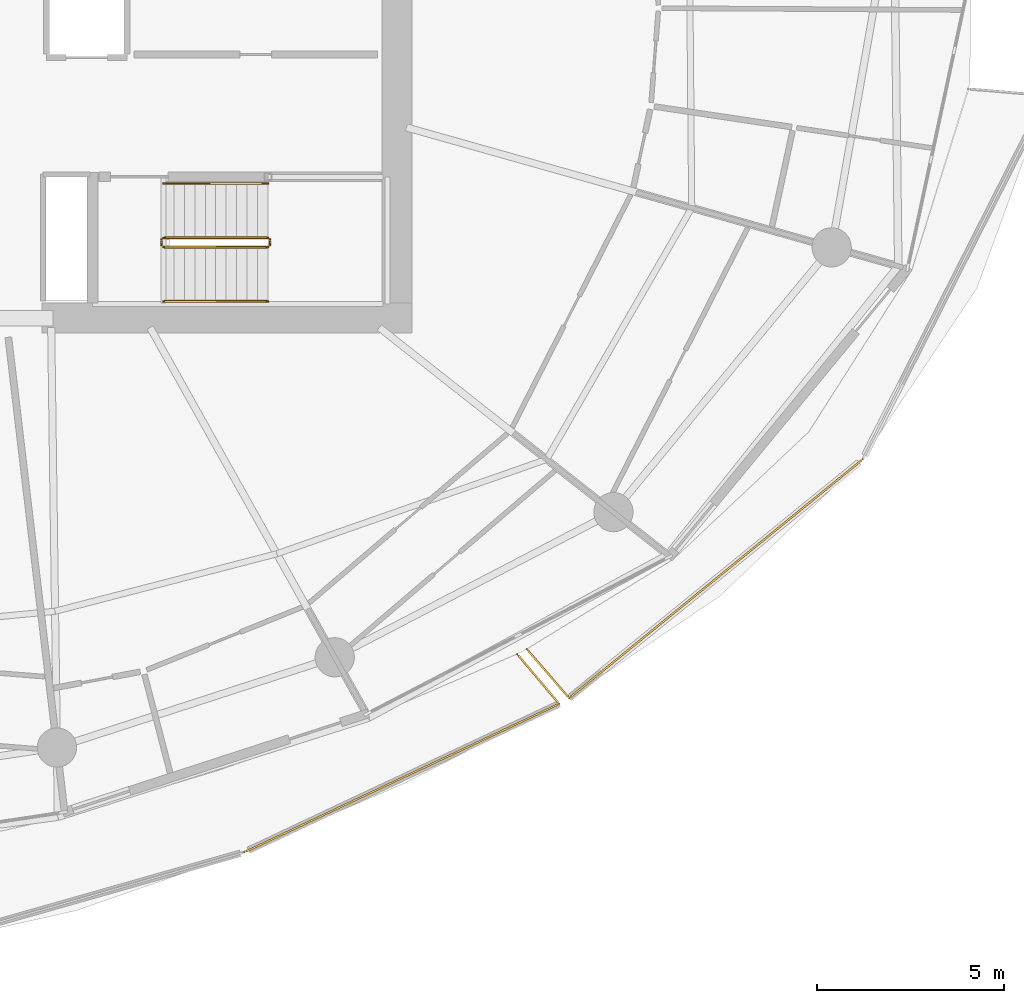
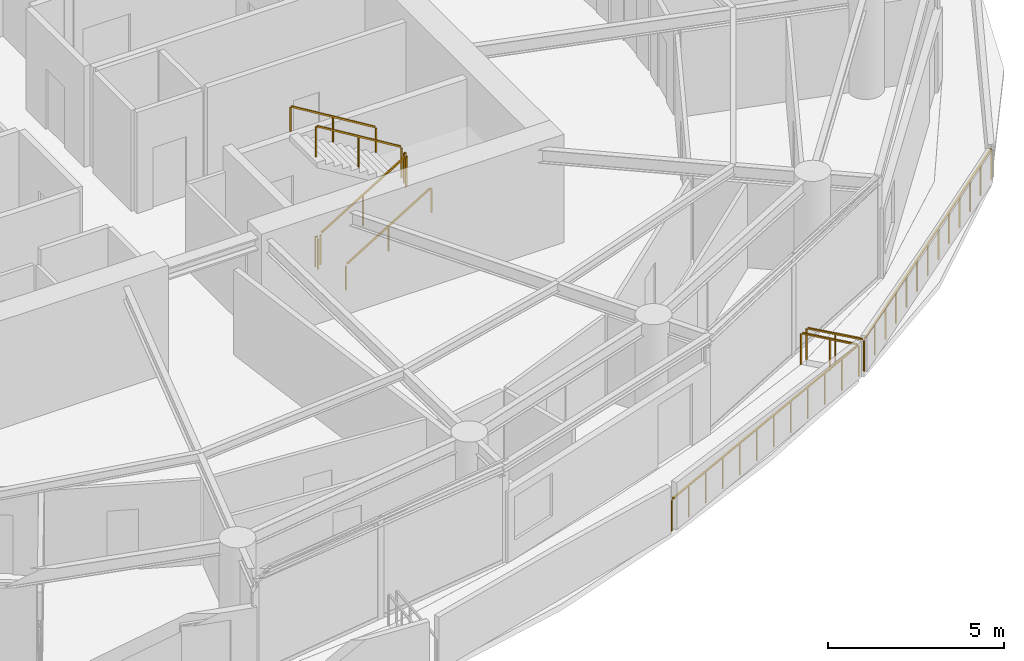
# One storey, part 18 of 20: 10 railings.
"""IFC4 building model written with IfcOpenShell, lengths in metres."""

from ifc_helpers import new_model, si_unit, direction, frame, origin, origin_2d, place, context, subcontext, project, spatial, rectangle, extrude, material, type_object, element, save


model = new_model("IFC4")

# Units and contexts
model_context = context("Model", 3, precision=1e-05, world=origin(), true_north=direction((0.0, 1.0)))
body_context = subcontext(model_context, "Body", "Model", "MODEL_VIEW")
ifc_project = project(units=[si_unit("LENGTHUNIT", "METRE"), si_unit("AREAUNIT", "SQUARE_METRE"), si_unit("VOLUMEUNIT", "CUBIC_METRE"), si_unit("PLANEANGLEUNIT", "RADIAN"), si_unit("MASSUNIT", "GRAM", prefix="KILO")], contexts=[model_context])

# Site, building, storey
site_placement = place(None, origin())
site = spatial("IfcSite", under=ifc_project, at=site_placement, CompositionType="ELEMENT")
building_placement = place(site_placement, origin())
building = spatial("IfcBuilding", under=site, at=building_placement, Name="Kazma Halo Residences", CompositionType="ELEMENT")
storey_placement = place(building_placement, frame((0.0, 0.0, 142.800048828125)))
storey = spatial("IfcBuildingStorey", under=building, at=storey_placement, Name="L35", CompositionType="ELEMENT", Elevation=142.800048828125)

# Railings
ifc_material_1 = material(Name="Aluminium AW-6063 T6 Brushed Cap Rail", Category="aluminium")
railing_type_1 = type_object("IfcRailingType", Name="RLG-BAL-CAP-1120", PredefinedType="BALUSTRADE", material=ifc_material_1)
railing_1_placement = place(storey_placement, frame((55.368896484375, 19.320556640625, 0.0)))
element("IfcRailing", 1, at=railing_1_placement, inside=storey, type_object=railing_type_1, Name="L35 SSE wave balcony guard 3", PredefinedType="BALUSTRADE", context=body_context, shape_type="SweptSolid", body=[
    extrude(rectangle(XDim=0.050048828125, YDim=0.050048828125, at=origin_2d()), frame((0.03857421875, 0.01806640625, 1.09521484375), z_axis=(0.904566410439, 0.426332744585, 0.0), x_axis=(-0.426332744585, 0.904566410439, 0.0)), (0.0, 0.0, 1.0), 9.219482421875),
    extrude(rectangle(XDim=0.0400390625, YDim=0.0400390625, at=origin_2d()), origin(), (0.0, 0.0, 1.0), 1.05810546875),
    extrude(rectangle(XDim=0.0400390625, YDim=0.0400390625, at=origin_2d()), frame((0.76513671875, 0.360595703125, 0.0)), (0.0, 0.0, 1.0), 1.05810546875),
    extrude(rectangle(XDim=0.0400390625, YDim=0.0400390625, at=origin_2d()), frame((1.5302734375, 0.72119140625, 0.0)), (0.0, 0.0, 1.0), 1.05810546875),
    extrude(rectangle(XDim=0.0400390625, YDim=0.0400390625, at=origin_2d()), frame((2.29541015625, 1.081787109375, 0.0)), (0.0, 0.0, 1.0), 1.05810546875),
    extrude(rectangle(XDim=0.0400390625, YDim=0.0400390625, at=origin_2d()), frame((3.060546875, 1.4423828125, 0.0)), (0.0, 0.0, 1.0), 1.05810546875),
    extrude(rectangle(XDim=0.0400390625, YDim=0.0400390625, at=origin_2d()), frame((3.82568359375, 1.802978515625, 0.0)), (0.0, 0.0, 1.0), 1.05810546875),
    extrude(rectangle(XDim=0.0400390625, YDim=0.0400390625, at=origin_2d()), frame((4.5908203125, 2.163818359375, 0.0)), (0.0, 0.0, 1.0), 1.05810546875),
    extrude(rectangle(XDim=0.0400390625, YDim=0.0400390625, at=origin_2d()), frame((5.35595703125, 2.5244140625, 0.0)), (0.0, 0.0, 1.0), 1.05810546875),
    extrude(rectangle(XDim=0.0400390625, YDim=0.0400390625, at=origin_2d()), frame((6.12109375, 2.885009765625, 0.0)), (0.0, 0.0, 1.0), 1.05810546875),
    extrude(rectangle(XDim=0.0400390625, YDim=0.0400390625, at=origin_2d()), frame((6.88623046875, 3.24560546875, 0.0)), (0.0, 0.0, 1.0), 1.05810546875),
    extrude(rectangle(XDim=0.0400390625, YDim=0.0400390625, at=origin_2d()), frame((7.6513671875, 3.606201171875, 0.0)), (0.0, 0.0, 1.0), 1.05810546875),
    extrude(rectangle(XDim=0.0400390625, YDim=0.0400390625, at=origin_2d()), frame((8.41650390625, 3.966796875, 0.0)), (0.0, 0.0, 1.0), 1.05810546875),
])
railing_2_placement = place(storey_placement, frame((63.785400390625, 23.287353515625, 0.0)))
element("IfcRailing", 2, at=railing_2_placement, inside=storey, type_object=railing_type_1, Name="L35 SSE wave balcony guard 4", PredefinedType="BALUSTRADE", context=body_context, shape_type="SweptSolid", body=[
    extrude(rectangle(XDim=0.050048828125, YDim=0.050048828125, at=origin_2d()), frame((-0.02734375, 0.032470703125, 1.09521484375), z_axis=(-0.644786588531, 0.764362646426, 0.0), x_axis=(-0.764362646426, -0.644786588531, 0.0)), (0.0, 0.0, 1.0), 1.658447265625),
    extrude(rectangle(XDim=0.0400390625, YDim=0.0400390625, at=origin_2d()), origin(), (0.0, 0.0, 1.0), 1.05810546875),
    extrude(rectangle(XDim=0.0400390625, YDim=0.0400390625, at=origin_2d()), frame((-0.56201171875, 0.66650390625, 0.0)), (0.0, 0.0, 1.0), 1.05810546875),
    extrude(rectangle(XDim=0.0400390625, YDim=0.0400390625, at=origin_2d()), frame((-1.124267578125, 1.332763671875, 0.0)), (0.0, 0.0, 1.0), 1.05810546875),
])
railing_3_placement = place(storey_placement, frame((62.91455078125, 24.751953125, 0.0)))
element("IfcRailing", 3, at=railing_3_placement, inside=storey, type_object=railing_type_1, Name="L35 SE wave balcony guard 1", PredefinedType="BALUSTRADE", context=body_context, shape_type="SweptSolid", body=[
    extrude(rectangle(XDim=0.050048828125, YDim=0.050048828125, at=origin_2d()), frame((0.02783203125, -0.0322265625, 1.09521484375), z_axis=(0.654008270682, -0.756487397039, 0.0), x_axis=(0.756487397039, 0.654008270682, 0.0)), (0.0, 0.0, 1.0), 1.649169921875),
    extrude(rectangle(XDim=0.0400390625, YDim=0.0400390625, at=origin_2d()), origin(), (0.0, 0.0, 1.0), 1.05810546875),
    extrude(rectangle(XDim=0.0400390625, YDim=0.0400390625, at=origin_2d()), frame((0.567138671875, -0.656005859375, 0.0)), (0.0, 0.0, 1.0), 1.05810546875),
    extrude(rectangle(XDim=0.0400390625, YDim=0.0400390625, at=origin_2d()), frame((1.13427734375, -1.31201171875, 0.0)), (0.0, 0.0, 1.0), 1.05810546875),
])
railing_4_placement = place(storey_placement, frame((64.048828125, 23.43994140625, 0.0)))
element("IfcRailing", 4, at=railing_4_placement, inside=storey, type_object=railing_type_1, Name="L35 SE wave balcony guard 2", PredefinedType="BALUSTRADE", context=body_context, shape_type="SweptSolid", body=[
    extrude(rectangle(XDim=0.050048828125, YDim=0.050048828125, at=origin_2d()), frame((0.032958984375, 0.02685546875, 1.09521484375), z_axis=(0.775869627128, 0.630893272829, 0.0), x_axis=(-0.630893272829, 0.775869627128, 0.0)), (0.0, 0.0, 1.0), 10.032470703125),
    extrude(rectangle(XDim=0.0400390625, YDim=0.0400390625, at=origin_2d()), origin(), (0.0, 0.0, 1.0), 1.05810546875),
    extrude(rectangle(XDim=0.0400390625, YDim=0.0400390625, at=origin_2d()), frame((0.654052734375, 0.531982421875, 0.0)), (0.0, 0.0, 1.0), 1.05810546875),
    extrude(rectangle(XDim=0.0400390625, YDim=0.0400390625, at=origin_2d()), frame((1.308349609375, 1.06396484375, 0.0)), (0.0, 0.0, 1.0), 1.05810546875),
    extrude(rectangle(XDim=0.0400390625, YDim=0.0400390625, at=origin_2d()), frame((1.96240234375, 1.595703125, 0.0)), (0.0, 0.0, 1.0), 1.05810546875),
    extrude(rectangle(XDim=0.0400390625, YDim=0.0400390625, at=origin_2d()), frame((2.61669921875, 2.127685546875, 0.0)), (0.0, 0.0, 1.0), 1.05810546875),
    extrude(rectangle(XDim=0.0400390625, YDim=0.0400390625, at=origin_2d()), frame((3.270751953125, 2.65966796875, 0.0)), (0.0, 0.0, 1.0), 1.05810546875),
    extrude(rectangle(XDim=0.0400390625, YDim=0.0400390625, at=origin_2d()), frame((3.9248046875, 3.19140625, 0.0)), (0.0, 0.0, 1.0), 1.05810546875),
    extrude(rectangle(XDim=0.0400390625, YDim=0.0400390625, at=origin_2d()), frame((4.5791015625, 3.723388671875, 0.0)), (0.0, 0.0, 1.0), 1.05810546875),
    extrude(rectangle(XDim=0.0400390625, YDim=0.0400390625, at=origin_2d()), frame((5.233154296875, 4.25537109375, 0.0)), (0.0, 0.0, 1.0), 1.05810546875),
    extrude(rectangle(XDim=0.0400390625, YDim=0.0400390625, at=origin_2d()), frame((5.887451171875, 4.787353515625, 0.0)), (0.0, 0.0, 1.0), 1.05810546875),
    extrude(rectangle(XDim=0.0400390625, YDim=0.0400390625, at=origin_2d()), frame((6.54150390625, 5.3193359375, 0.0)), (0.0, 0.0, 1.0), 1.05810546875),
    extrude(rectangle(XDim=0.0400390625, YDim=0.0400390625, at=origin_2d()), frame((7.19580078125, 5.85107421875, 0.0)), (0.0, 0.0, 1.0), 1.05810546875),
    extrude(rectangle(XDim=0.0400390625, YDim=0.0400390625, at=origin_2d()), frame((7.849853515625, 6.383056640625, 0.0)), (0.0, 0.0, 1.0), 1.05810546875),
])
ifc_material_2 = material(Name="Painted Steel S355", Category="steel")
railing_type_2 = type_object("IfcRailingType", Name="RLG-STAIR-GRD-1100", PredefinedType="GUARDRAIL", material=ifc_material_2)
railing_5_placement = place(storey_placement, frame((53.199951171875, 35.5, 0.17041015625)))
element("IfcRailing", 5, at=railing_5_placement, inside=storey, type_object=railing_type_2, Name="L35 ST-03 stair guard 1", PredefinedType="GUARDRAIL", context=body_context, shape_type="SweptSolid", body=[
    extrude(rectangle(XDim=0.050048828125, YDim=0.050048828125, at=origin_2d()), frame((0.036376953125, 0.0, 1.09716796875), z_axis=(0.854169791009, 0.0, 0.51999420009), x_axis=(0.0, 1.0, 0.0)), (0.0, 0.0, 1.0), 3.193115234375),
    extrude(rectangle(XDim=0.0400390625, YDim=0.0400390625, at=origin_2d()), origin(), (0.0, 0.0, 1.0), 1.0380859375),
    extrude(rectangle(XDim=0.0400390625, YDim=0.0400390625, at=origin_2d()), frame((1.39990234375, 0.0, 0.852294921875)), (0.0, 0.0, 1.0), 1.0380859375),
    extrude(rectangle(XDim=0.0400390625, YDim=0.0400390625, at=origin_2d()), frame((2.800048828125, 0.0, 1.70458984375)), (0.0, 0.0, 1.0), 1.0380859375),
])
railing_6_placement = place(storey_placement, frame((56.050048828125, 35.550048828125, 1.875)))
element("IfcRailing", 6, at=railing_6_placement, inside=storey, type_object=railing_type_2, Name="L35 ST-03 stair guard 2", PredefinedType="GUARDRAIL", context=body_context, shape_type="SweptSolid", body=[
    extrude(rectangle(XDim=0.050048828125, YDim=0.050048828125, at=origin_2d()), frame((0.0, 0.04248046875, 1.0751953125), z_axis=(0.0, 1.0, 0.0), x_axis=(-1.0, 0.0, 0.0)), (0.0, 0.0, 1.0), 0.06494140625),
    extrude(rectangle(XDim=0.0400390625, YDim=0.0400390625, at=origin_2d()), origin(), (0.0, 0.0, 1.0), 1.0380859375),
    extrude(rectangle(XDim=0.0400390625, YDim=0.0400390625, at=origin_2d()), frame((0.0, 0.14990234375, 0.0)), (0.0, 0.0, 1.0), 1.0380859375),
])
railing_7_placement = place(storey_placement, frame((56.0, 35.75, 2.04541015625)))
element("IfcRailing", 7, at=railing_7_placement, inside=storey, type_object=railing_type_2, Name="L35 ST-03 stair guard 3", PredefinedType="GUARDRAIL", context=body_context, shape_type="SweptSolid", body=[
    extrude(rectangle(XDim=0.050048828125, YDim=0.050048828125, at=origin_2d()), frame((-0.036376953125, 0.0, 1.09716796875), z_axis=(-0.854169791009, 0.0, 0.51999420009), x_axis=(0.0, -1.0, 0.0)), (0.0, 0.0, 1.0), 3.193115234375),
    extrude(rectangle(XDim=0.0400390625, YDim=0.0400390625, at=origin_2d()), origin(), (0.0, 0.0, 1.0), 1.0380859375),
    extrude(rectangle(XDim=0.0400390625, YDim=0.0400390625, at=origin_2d()), frame((-1.39990234375, 0.0, 0.852294921875)), (0.0, 0.0, 1.0), 1.0380859375),
    extrude(rectangle(XDim=0.0400390625, YDim=0.0400390625, at=origin_2d()), frame((-2.800048828125, 0.0, 1.70458984375)), (0.0, 0.0, 1.0), 1.0380859375),
])
railing_8_placement = place(storey_placement, frame((53.14990234375, 35.550048828125, 0.0)))
element("IfcRailing", 8, at=railing_8_placement, inside=storey, type_object=railing_type_2, Name="L35 ST-03 stair guard 4", PredefinedType="GUARDRAIL", context=body_context, shape_type="SweptSolid", body=[
    extrude(rectangle(XDim=0.050048828125, YDim=0.050048828125, at=origin_2d()), frame((0.0, 0.04248046875, 1.0751953125), z_axis=(0.0, 1.0, 0.0), x_axis=(-1.0, 0.0, 0.0)), (0.0, 0.0, 1.0), 0.06494140625),
    extrude(rectangle(XDim=0.0400390625, YDim=0.0400390625, at=origin_2d()), origin(), (0.0, 0.0, 1.0), 1.0380859375),
    extrude(rectangle(XDim=0.0400390625, YDim=0.0400390625, at=origin_2d()), frame((0.0, 0.14990234375, 0.0)), (0.0, 0.0, 1.0), 1.0380859375),
])
ifc_material_3 = material(Name="Brushed Stainless Steel", Category="steel")
railing_type_3 = type_object("IfcRailingType", Name="RLG-STAIR-HND-900", PredefinedType="HANDRAIL", material=ifc_material_3)
railing_9_placement = place(storey_placement, frame((53.199951171875, 34.050048828125, 0.17041015625)))
element("IfcRailing", 9, at=railing_9_placement, inside=storey, type_object=railing_type_3, Name="L35 ST-03 stair handrail 1", PredefinedType="HANDRAIL", context=body_context, shape_type="SweptSolid", body=[
    extrude(rectangle(XDim=0.050048828125, YDim=0.050048828125, at=origin_2d()), frame((0.036376953125, 0.0, 0.89697265625), z_axis=(0.854169791009, 0.0, 0.51999420009), x_axis=(0.0, 1.0, 0.0)), (0.0, 0.0, 1.0), 3.193115234375),
    extrude(rectangle(XDim=0.0400390625, YDim=0.0400390625, at=origin_2d()), origin(), (0.0, 0.0, 1.0), 0.837890625),
    extrude(rectangle(XDim=0.0400390625, YDim=0.0400390625, at=origin_2d()), frame((1.39990234375, 0.0, 0.852294921875)), (0.0, 0.0, 1.0), 0.837890625),
    extrude(rectangle(XDim=0.0400390625, YDim=0.0400390625, at=origin_2d()), frame((2.800048828125, 0.0, 1.70458984375)), (0.0, 0.0, 1.0), 0.837890625),
])
railing_10_placement = place(storey_placement, frame((56.0, 37.199951171875, 2.04541015625)))
element("IfcRailing", 10, at=railing_10_placement, inside=storey, type_object=railing_type_3, Name="L35 ST-03 stair handrail 2", PredefinedType="HANDRAIL", context=body_context, shape_type="SweptSolid", body=[
    extrude(rectangle(XDim=0.050048828125, YDim=0.050048828125, at=origin_2d()), frame((-0.036376953125, 0.0, 0.89697265625), z_axis=(-0.854169791009, 0.0, 0.51999420009), x_axis=(0.0, -1.0, 0.0)), (0.0, 0.0, 1.0), 3.193115234375),
    extrude(rectangle(XDim=0.0400390625, YDim=0.0400390625, at=origin_2d()), origin(), (0.0, 0.0, 1.0), 0.837890625),
    extrude(rectangle(XDim=0.0400390625, YDim=0.0400390625, at=origin_2d()), frame((-1.39990234375, 0.0, 0.852294921875)), (0.0, 0.0, 1.0), 0.837890625),
    extrude(rectangle(XDim=0.0400390625, YDim=0.0400390625, at=origin_2d()), frame((-2.800048828125, 0.0, 1.70458984375)), (0.0, 0.0, 1.0), 0.837890625),
])

save(model, "model.ifc")
